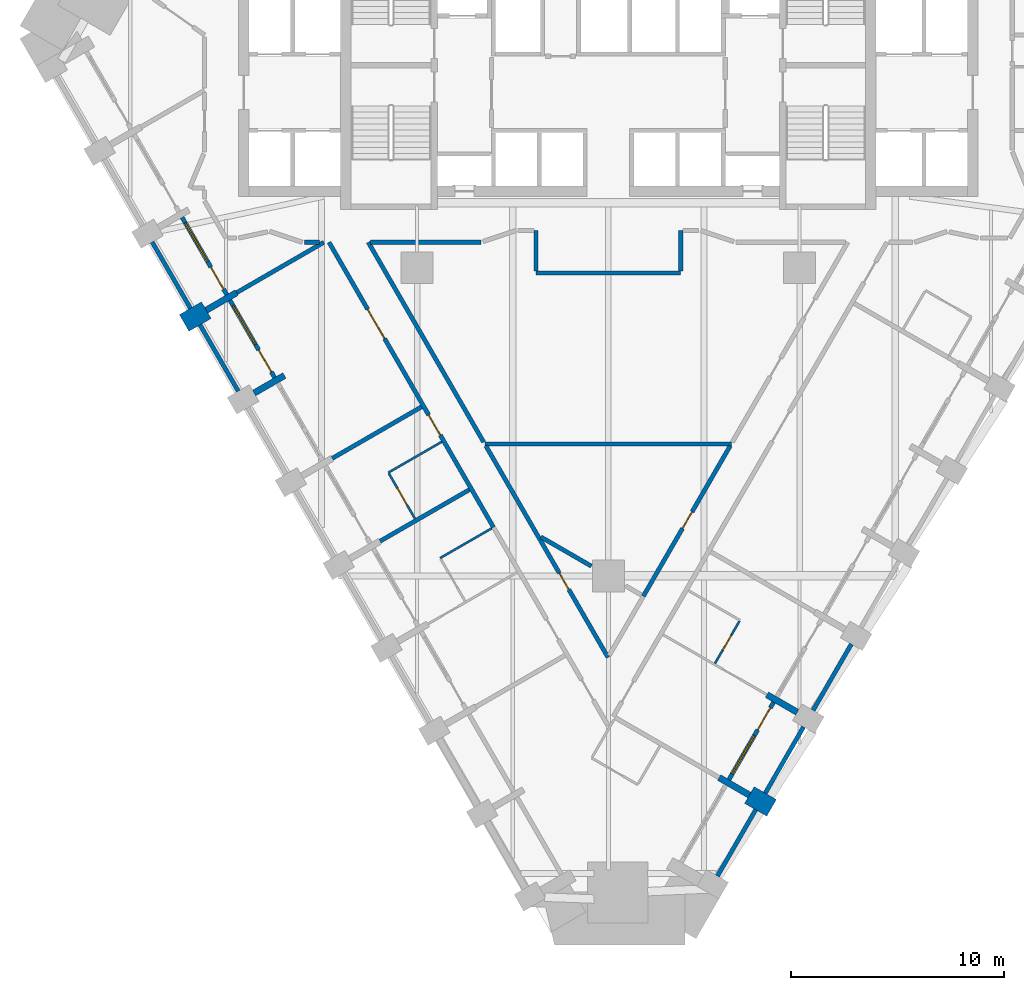
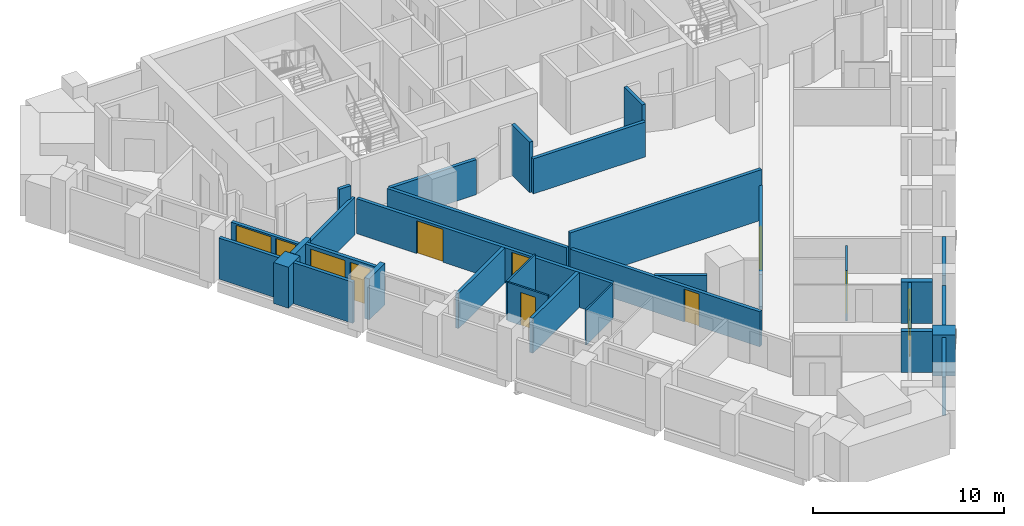
# One storey, part 4 of 11: 32 walls, 9 doors, 3 windows, 12 openings.
"""IFC4 building model written with IfcOpenShell, lengths in metres."""

from ifc_helpers import new_model, si_unit, direction, frame, frame_2d, origin, place, context, subcontext, project, spatial, polyline, rectangle, outline, extrude, material, layer, layer_set, type_object, element, fill, save


model = new_model("IFC4")

# Units and contexts
model_context = context("Model", 3, precision=1e-05, world=origin(), true_north=direction((0.0, 1.0)))
body_context = subcontext(model_context, "Body", "Model", "MODEL_VIEW")
ifc_project = project(units=[si_unit("LENGTHUNIT", "METRE"), si_unit("AREAUNIT", "SQUARE_METRE"), si_unit("VOLUMEUNIT", "CUBIC_METRE"), si_unit("PLANEANGLEUNIT", "RADIAN"), si_unit("MASSUNIT", "GRAM", prefix="KILO")], contexts=[model_context])

# Site, building, storey
site_placement = place(None, origin())
site = spatial("IfcSite", under=ifc_project, at=site_placement, CompositionType="ELEMENT")
building_placement = place(site_placement, origin())
building = spatial("IfcBuilding", under=site, at=building_placement, Name="Calabash Gate Tower", CompositionType="ELEMENT")
storey_placement = place(building_placement, frame((0.0, 0.0, 122.39990234375)))
storey = spatial("IfcBuildingStorey", under=building, at=storey_placement, Name="L28", CompositionType="ELEMENT", Elevation=122.39990234375)

# Walls
ifc_material_1 = material(Name="Terracotta brick masonry, exposed face", Category="masonry")
ifc_layer_1 = layer(ifc_material_1, 1.199951171875)
ifc_layer_set_1 = layer_set([ifc_layer_1], Name="Brick end wall 1200")
wall_type_1 = type_object("IfcWallType", Name="Brick end wall 1200", PredefinedType="SOLIDWALL", material=ifc_layer_set_1)
wall_1_placement = place(storey_placement, frame((-19.957763671875, -0.096923828125, 0.0), z_axis=(0.0, 0.0, 1.0), x_axis=(0.865955154139, 0.50012165622, 0.0)))
element("IfcWall", 1, at=wall_1_placement, inside=storey, type_object=wall_type_1, Name="Brick pier S08 SW0.3", PredefinedType="SOLIDWALL", context=body_context, shape_type="SweptSolid", body=[
    extrude(rectangle(XDim=1.199951171875, YDim=0.89990234375, at=frame_2d((0.60009765625, 0.0))), origin(), (0.0, 0.0, 1.0), 2.630126953125),
])
wall_2_placement = place(storey_placement, frame((7.67626953125, -22.9091796875, 0.0), z_axis=(0.0, 0.0, 1.0), x_axis=(-0.866094119867, 0.499880961361, 0.0)))
element("IfcWall", 2, at=wall_2_placement, inside=storey, type_object=wall_type_1, Name="Brick pier S08 SE2.1", PredefinedType="SOLIDWALL", context=body_context, shape_type="SweptSolid", body=[
    extrude(rectangle(XDim=1.199951171875, YDim=0.89990234375, at=frame_2d((0.60009765625, 0.0))), origin(), (0.0, 0.0, 1.0), 2.628173828125),
])
ifc_material_2 = material(Name="Terracotta brick masonry, exposed face", Category="masonry")
ifc_layer_2 = layer(ifc_material_2, 0.300048828125)
ifc_layer_set_2 = layer_set([ifc_layer_2], Name="Brick loggia cheek wall 300")
wall_type_2 = type_object("IfcWallType", Name="Brick loggia cheek wall 300", PredefinedType="SOLIDWALL", material=ifc_layer_set_2)
wall_3_placement = place(storey_placement, frame((-18.918701171875, 0.503173828125, 0.0), z_axis=(0.0, 0.0, 1.0), x_axis=(0.866040211805, 0.499974350878, 0.0)))
element("IfcWall", 3, at=wall_3_placement, inside=storey, type_object=wall_type_2, Name="Loggia cheek S08 SW0.3", PredefinedType="SOLIDWALL", context=body_context, shape_type="SweptSolid", body=[
    extrude(rectangle(XDim=1.64990234375, YDim=0.300048828125, at=frame_2d((0.824951171875, 0.0))), origin(), (0.0, 0.0, 1.0), 2.650146484375),
])
wall_4_placement = place(storey_placement, frame((-16.66845703125, -3.39404296875, 0.0), z_axis=(0.0, 0.0, 1.0), x_axis=(0.866003217194, 0.500038426333, 0.0)))
element("IfcWall", 4, at=wall_4_placement, inside=storey, type_object=wall_type_2, Name="Loggia cheek S08 SW0.4", PredefinedType="SOLIDWALL", context=body_context, shape_type="SweptSolid", body=[
    extrude(rectangle(XDim=1.649658203125, YDim=0.300048828125, at=frame_2d((0.82470703125, 0.0))), origin(), (0.0, 0.0, 1.0), 2.628173828125),
])
wall_5_placement = place(storey_placement, frame((6.636962890625, -22.309326171875, 0.0), z_axis=(0.0, 0.0, 1.0), x_axis=(-0.866040211805, 0.499974350878, 0.0)))
element("IfcWall", 5, at=wall_5_placement, inside=storey, type_object=wall_type_2, Name="Loggia cheek S08 SE2.1", PredefinedType="SOLIDWALL", context=body_context, shape_type="SweptSolid", body=[
    extrude(rectangle(XDim=1.64990234375, YDim=0.300048828125, at=frame_2d((0.824951171875, 0.0))), origin(), (0.0, 0.0, 1.0), 2.628173828125),
])
wall_6_placement = place(storey_placement, frame((8.886962890625, -18.412109375, 0.0), z_axis=(0.0, 0.0, 1.0), x_axis=(-0.866040211805, 0.499974350878, 0.0)))
element("IfcWall", 6, at=wall_6_placement, inside=storey, type_object=wall_type_2, Name="Loggia cheek S08 SE2.2", PredefinedType="SOLIDWALL", context=body_context, shape_type="SweptSolid", body=[
    extrude(rectangle(XDim=1.64990234375, YDim=0.300048828125, at=frame_2d((0.824951171875, 0.0))), origin(), (0.0, 0.0, 1.0), 2.650146484375),
])

# Wall, opening, door
ifc_material_3 = material(Name="Gypsum board on steel studs, mineral wool", Category="steel")
ifc_layer_3 = layer(ifc_material_3, 0.10009765625)
ifc_layer_set_3 = layer_set([ifc_layer_3], Name="Partition 100 gypsum board")
wall_type_3 = type_object("IfcWallType", Name="Partition 100 gypsum board", PredefinedType="PARTITIONING", material=ifc_layer_set_3)
wall_7_placement = place(storey_placement, frame((5.014404296875, -16.1162109375, 0.0), z_axis=(0.0, 0.0, 1.0), x_axis=(0.500617411337, 0.865668647617, 0.0)))
wall_7 = element("IfcWall", 7, at=wall_7_placement, inside=storey, type_object=wall_type_3, Name="Partition", PredefinedType="PARTITIONING", context=body_context, shape_type="SweptSolid", body=[
    extrude(rectangle(XDim=2.2978515625, YDim=0.10009765625, at=frame_2d((1.14892578125, 0.0))), origin(), (0.0, 0.0, 1.0), 3.22998046875),
])
opening_1_placement = place(wall_7_placement, frame((0.748046875, 0.0, 0.0)))
opening_1 = element("IfcOpeningElement", 8, at=opening_1_placement, cuts=wall_7, Name="Opening 28-30-009", PredefinedType="OPENING", context=body_context, shape_type="SweptSolid", body=[
    extrude(rectangle(XDim=0.800048828125, YDim=2.10009765625, at=frame_2d((0.39990234375, 1.050048828125))), frame((0.0, 0.06005859375, 0.0), z_axis=(0.0, -1.0, 0.0), x_axis=(1.0, 0.0, 0.0)), (0.0, 0.0, 1.0), 0.1201171875),
])
ifc_material_4 = material(Name="Painted timber door", Category="wood")
door_type_1 = type_object("IfcDoorType", Name="GD5 En-suite door 800x2100", OperationType="NOTDEFINED", PredefinedType="DOOR", material=ifc_material_4)
door_1_placement = place(opening_1_placement, origin())
door_1 = element("IfcDoor", 9, at=door_1_placement, inside=storey, type_object=door_type_1, Name="En-suite door", OperationType="SINGLE_SWING_RIGHT", OverallHeight=2.10009765625, OverallWidth=0.800048828125, PredefinedType="DOOR", context=body_context, shape_type="SweptSolid", body=[
    extrude(rectangle(XDim=0.800048828125, YDim=2.10009765625, at=frame_2d((0.39990234375, 1.050048828125))), frame((0.0, 0.02490234375, 0.0), z_axis=(0.0, -1.0, 0.0), x_axis=(1.0, 0.0, 0.0)), (0.0, 0.0, 1.0), 0.050048828125),
])
fill(opening_1, door_1)

# Wall
wall_8_placement = place(storey_placement, frame((-7.914306640625, -11.156982421875, 0.0), z_axis=(0.0, 0.0, 1.0), x_axis=(0.866288634608, 0.499543793424, 0.0)))
element("IfcWall", 10, at=wall_8_placement, inside=storey, type_object=wall_type_3, Name="Partition", PredefinedType="PARTITIONING", context=body_context, shape_type="SweptSolid", body=[
    extrude(rectangle(XDim=2.7998046875, YDim=0.10009765625, at=frame_2d((1.39990234375, 0.0))), origin(), (0.0, 0.0, 1.0), 2.24169921875),
])

# Wall, opening, door
wall_9_placement = place(storey_placement, frame((-10.325927734375, -7.179931640625, 0.0), z_axis=(0.0, 0.0, 1.0), x_axis=(0.500018594424, -0.866014668023, 0.0)))
wall_9 = element("IfcWall", 11, at=wall_9_placement, inside=storey, type_object=wall_type_3, Name="Partition", PredefinedType="PARTITIONING", context=body_context, shape_type="SweptSolid", body=[
    extrude(rectangle(XDim=2.4501953125, YDim=0.10009765625, at=frame_2d((1.22509765625, 0.0))), origin(), (0.0, 0.0, 1.0), 2.4736328125),
])
opening_2_placement = place(wall_9_placement, frame((0.800048828125, 0.0, 0.0)))
opening_2 = element("IfcOpeningElement", 12, at=opening_2_placement, cuts=wall_9, Name="Opening 28-30-003", PredefinedType="OPENING", context=body_context, shape_type="SweptSolid", body=[
    extrude(rectangle(XDim=0.89990234375, YDim=2.10009765625, at=frame_2d((0.449951171875, 1.050048828125))), frame((0.0, 0.06005859375, 0.0), z_axis=(0.0, -1.0, 0.0), x_axis=(1.0, 0.0, 0.0)), (0.0, 0.0, 1.0), 0.1201171875),
])
ifc_material_5 = material(Name="Painted timber door", Category="wood")
door_type_2 = type_object("IfcDoorType", Name="GD6 Accessible en-suite door 900x2100", OperationType="NOTDEFINED", PredefinedType="DOOR", material=ifc_material_5)
door_2_placement = place(opening_2_placement, origin())
door_2 = element("IfcDoor", 13, at=door_2_placement, inside=storey, type_object=door_type_2, Name="Accessible en-suite door", OperationType="SINGLE_SWING_LEFT", OverallHeight=2.10009765625, OverallWidth=0.89990234375, PredefinedType="DOOR", context=body_context, shape_type="SweptSolid", body=[
    extrude(rectangle(XDim=0.89990234375, YDim=2.10009765625, at=frame_2d((0.449951171875, 1.050048828125))), frame((0.0, 0.02490234375, 0.0), z_axis=(0.0, -1.0, 0.0), x_axis=(1.0, 0.0, 0.0)), (0.0, 0.0, 1.0), 0.050048828125),
])
fill(opening_2, door_2)

# Wall
wall_10_placement = place(storey_placement, frame((-10.350830078125, -7.13671875, 0.0), z_axis=(0.0, 0.0, 1.0), x_axis=(0.86625706142, 0.499598542372, 0.0)))
element("IfcWall", 14, at=wall_10_placement, inside=storey, type_object=wall_type_3, Name="Partition", PredefinedType="PARTITIONING", context=body_context, shape_type="SweptSolid", body=[
    extrude(rectangle(XDim=2.89990234375, YDim=0.10009765625, at=frame_2d((1.449951171875, 0.0))), origin(), (0.0, 0.0, 1.0), 2.4736328125),
])

# Wall, opening, door
ifc_material_6 = material(Name="Gypsum board on steel studs, mineral wool", Category="steel")
ifc_layer_4 = layer(ifc_material_6, 0.199951171875)
ifc_layer_set_4 = layer_set([ifc_layer_4], Name="Partition 200 gypsum board EI 60")
wall_type_4 = type_object("IfcWallType", Name="Partition 200 gypsum board EI 60", PredefinedType="PARTITIONING", material=ifc_layer_set_4)
wall_11_placement = place(storey_placement, frame((1.646728515625, -12.948486328125, 0.0), z_axis=(0.0, 0.0, 1.0), x_axis=(0.500209850425, 0.865904212681, 0.0)))
wall_11 = element("IfcWall", 15, at=wall_11_placement, inside=storey, type_object=wall_type_4, Name="Partition", PredefinedType="PARTITIONING", context=body_context, shape_type="SweptSolid", body=[
    extrude(rectangle(XDim=8.16552734375, YDim=0.199951171875, at=frame_2d((4.082763671875, 0.0))), origin(), (0.0, 0.0, 1.0), 2.24169921875),
])
opening_3_placement = place(wall_11_placement, frame((3.681884765625, 0.0, 0.0)))
opening_3 = element("IfcOpeningElement", 16, at=opening_3_placement, cuts=wall_11, Name="Opening 28-30-013", PredefinedType="OPENING", context=body_context, shape_type="SweptSolid", body=[
    extrude(rectangle(XDim=0.89990234375, YDim=2.10009765625, at=frame_2d((0.449951171875, 1.050048828125))), frame((0.0, 0.10986328125, 0.0), z_axis=(0.0, -1.0, 0.0), x_axis=(1.0, 0.0, 0.0)), (0.0, 0.0, 1.0), 0.219970703125),
])
ifc_material_7 = material(Name="Steel fire door set with fire-resisting glazing", Category="steel")
door_type_3 = type_object("IfcDoorType", Name="SD3 Store door 900x2100", OperationType="NOTDEFINED", PredefinedType="DOOR", material=ifc_material_7)
door_3_placement = place(opening_3_placement, origin())
door_3 = element("IfcDoor", 17, at=door_3_placement, inside=storey, type_object=door_type_3, Name="Store door", OperationType="SINGLE_SWING_RIGHT", OverallHeight=2.10009765625, OverallWidth=0.89990234375, PredefinedType="DOOR", context=body_context, shape_type="SweptSolid", body=[
    extrude(rectangle(XDim=0.89990234375, YDim=2.10009765625, at=frame_2d((0.449951171875, 1.050048828125))), frame((0.0, 0.02490234375, 0.0), z_axis=(0.0, -1.0, 0.0), x_axis=(1.0, 0.0, 0.0)), (0.0, 0.0, 1.0), 0.050048828125),
])
fill(opening_3, door_3)

# Wall
wall_12_placement = place(storey_placement, frame((-3.17138671875, -10.167724609375, 0.0), z_axis=(0.0, 0.0, 1.0), x_axis=(0.865863357012, -0.500280568265, 0.0)))
element("IfcWall", 18, at=wall_12_placement, inside=storey, type_object=wall_type_4, Name="Partition", PredefinedType="PARTITIONING", context=body_context, shape_type="SweptSolid", body=[
    extrude(rectangle(XDim=2.73876953125, YDim=0.199951171875, at=frame_2d((1.369384765625, 0.0))), origin(), (0.0, 0.0, 1.0), 2.24169921875),
])

# Wall, openings, doors
wall_13_placement = place(storey_placement, frame((-13.143310546875, 3.69970703125, 0.0), z_axis=(0.0, 0.0, 1.0), x_axis=(0.499816656841, -0.866131231133, 0.0)))
wall_13 = element("IfcWall", 19, at=wall_13_placement, inside=storey, type_object=wall_type_4, Name="Partition", PredefinedType="PARTITIONING", context=body_context, shape_type="SweptSolid", body=[
    extrude(rectangle(XDim=15.480224609375, YDim=0.199951171875, at=frame_2d((7.740234375, 0.0))), origin(), (0.0, 0.0, 1.0), 2.24169921875),
])
opening_4_placement = place(wall_13_placement, frame((3.640380859375, 0.0, 0.0)))
opening_4 = element("IfcOpeningElement", 20, at=opening_4_placement, cuts=wall_13, Name="Opening 28-30-001", PredefinedType="OPENING", context=body_context, shape_type="SweptSolid", body=[
    extrude(rectangle(XDim=1.60009765625, YDim=2.10009765625, at=frame_2d((0.800048828125, 1.050048828125))), frame((0.0, 0.10986328125, 0.0), z_axis=(0.0, -1.0, 0.0), x_axis=(1.0, 0.0, 0.0)), (0.0, 0.0, 1.0), 0.219970703125),
])
opening_5_placement = place(wall_13_placement, frame((9.380859375, 0.0, 0.0)))
opening_5 = element("IfcOpeningElement", 21, at=opening_5_placement, cuts=wall_13, Name="Opening 28-30-002", PredefinedType="OPENING", context=body_context, shape_type="SweptSolid", body=[
    extrude(rectangle(XDim=1.10009765625, YDim=2.10009765625, at=frame_2d((0.550048828125, 1.050048828125))), frame((0.0, 0.10986328125, 0.0), z_axis=(0.0, -1.0, 0.0), x_axis=(1.0, 0.0, 0.0)), (0.0, 0.0, 1.0), 0.219970703125),
])
ifc_material_8 = material(Name="Steel fire door set with fire-resisting glazing", Category="steel")
door_type_4 = type_object("IfcDoorType", Name="GD2 Accessible guest room entrance door 1100x2100", OperationType="NOTDEFINED", PredefinedType="DOOR", material=ifc_material_8)
door_4_placement = place(opening_5_placement, origin())
door_4 = element("IfcDoor", 22, at=door_4_placement, inside=storey, type_object=door_type_4, Name="Accessible guest room entrance door", OperationType="SINGLE_SWING_RIGHT", OverallHeight=2.10009765625, OverallWidth=1.10009765625, PredefinedType="DOOR", context=body_context, shape_type="SweptSolid", body=[
    extrude(rectangle(XDim=1.10009765625, YDim=2.10009765625, at=frame_2d((0.550048828125, 1.050048828125))), frame((0.0, 0.02490234375, 0.0), z_axis=(0.0, -1.0, 0.0), x_axis=(1.0, 0.0, 0.0)), (0.0, 0.0, 1.0), 0.050048828125),
])
fill(opening_5, door_4)
ifc_material_9 = material(Name="Steel fire door set with fire-resisting glazing", Category="steel")
door_type_5 = type_object("IfcDoorType", Name="LD1 Lounge double door 1600x2100", OperationType="NOTDEFINED", PredefinedType="DOOR", material=ifc_material_9)
door_5_placement = place(opening_4_placement, origin())
door_5 = element("IfcDoor", 23, at=door_5_placement, inside=storey, type_object=door_type_5, Name="Lounge double door", OperationType="DOUBLE_DOOR_SINGLE_SWING", OverallHeight=2.10009765625, OverallWidth=1.60009765625, PredefinedType="DOOR", context=body_context, shape_type="SweptSolid", body=[
    extrude(rectangle(XDim=1.60009765625, YDim=2.10009765625, at=frame_2d((0.800048828125, 1.050048828125))), frame((0.0, 0.02490234375, 0.0), z_axis=(0.0, -1.0, 0.0), x_axis=(1.0, 0.0, 0.0)), (0.0, 0.0, 1.0), 0.050048828125),
])
fill(opening_4, door_5)

# Wall
wall_14_placement = place(storey_placement, frame((-10.739501953125, -10.36328125, 0.0), z_axis=(0.0, 0.0, 1.0), x_axis=(0.866231677814, 0.499642552583, 0.0)))
element("IfcWall", 24, at=wall_14_placement, inside=storey, type_object=wall_type_4, Name="Partition", PredefinedType="PARTITIONING", context=body_context, shape_type="SweptSolid", body=[
    extrude(rectangle(XDim=4.849609375, YDim=0.199951171875, at=frame_2d((2.4248046875, 0.0))), origin(), (0.0, 0.0, 1.0), 2.24169921875),
])

# Wall, opening, door
wall_15_placement = place(storey_placement, frame((-5.7626953125, -5.8798828125, 0.0), z_axis=(0.0, 0.0, 1.0), x_axis=(0.500006842847, -0.866021453029, 0.0)))
wall_15 = element("IfcWall", 25, at=wall_15_placement, inside=storey, type_object=wall_type_4, Name="Partition", PredefinedType="PARTITIONING", context=body_context, shape_type="SweptSolid", body=[
    extrude(rectangle(XDim=11.493408203125, YDim=0.199951171875, at=frame_2d((5.74658203125, 0.0))), origin(), (0.0, 0.0, 1.0), 2.24169921875),
])
opening_6_placement = place(wall_15_placement, frame((6.914306640625, 0.0, 0.0)))
opening_6 = element("IfcOpeningElement", 26, at=opening_6_placement, cuts=wall_15, Name="Opening 28-30-012", PredefinedType="OPENING", context=body_context, shape_type="SweptSolid", body=[
    extrude(rectangle(XDim=0.89990234375, YDim=2.10009765625, at=frame_2d((0.449951171875, 1.050048828125))), frame((0.0, 0.10986328125, 0.0), z_axis=(0.0, -1.0, 0.0), x_axis=(1.0, 0.0, 0.0)), (0.0, 0.0, 1.0), 0.219970703125),
])
door_6_placement = place(opening_6_placement, origin())
door_6 = element("IfcDoor", 27, at=door_6_placement, inside=storey, type_object=door_type_3, Name="Store door", OperationType="SINGLE_SWING_RIGHT", OverallHeight=2.10009765625, OverallWidth=0.89990234375, PredefinedType="DOOR", context=body_context, shape_type="SweptSolid", body=[
    extrude(rectangle(XDim=0.89990234375, YDim=2.10009765625, at=frame_2d((0.449951171875, 1.050048828125))), frame((0.0, 0.02490234375, 0.0), z_axis=(0.0, -1.0, 0.0), x_axis=(1.0, 0.0, 0.0)), (0.0, 0.0, 1.0), 0.050048828125),
])
fill(opening_6, door_6)

# Walls
wall_16_placement = place(storey_placement, frame((-5.8125, -5.793212890625, 0.0), z_axis=(0.0, 0.0, 1.0), x_axis=(0.999999989135, 0.000147408763, 0.0)))
element("IfcWall", 28, at=wall_16_placement, inside=storey, type_object=wall_type_4, Name="Partition", PredefinedType="PARTITIONING", context=body_context, shape_type="SweptSolid", body=[
    extrude(rectangle(XDim=11.593505859375, YDim=0.199951171875, at=frame_2d((5.796875, 0.0))), origin(), (0.0, 0.0, 1.0), 3.22998046875),
])
wall_17_placement = place(storey_placement, frame((-12.989501953125, -6.46630859375, 0.0), z_axis=(0.0, 0.0, 1.0), x_axis=(0.866209889287, 0.49968032551, 0.0)))
element("IfcWall", 29, at=wall_17_placement, inside=storey, type_object=wall_type_4, Name="Partition", PredefinedType="PARTITIONING", context=body_context, shape_type="SweptSolid", body=[
    extrude(rectangle(XDim=4.849853515625, YDim=0.199951171875, at=frame_2d((2.4248046875, 0.0))), origin(), (0.0, 0.0, 1.0), 2.24169921875),
])
wall_18_placement = place(storey_placement, frame((-17.489990234375, 1.32861328125, 0.0), z_axis=(0.0, 0.0, 1.0), x_axis=(0.865884411482, 0.500244126355, 0.0)))
element("IfcWall", 30, at=wall_18_placement, inside=storey, type_object=wall_type_4, Name="Partition", PredefinedType="PARTITIONING", context=body_context, shape_type="SweptSolid", body=[
    extrude(rectangle(XDim=4.739501953125, YDim=0.199951171875, at=frame_2d((2.36962890625, 0.0))), origin(), (0.0, 0.0, 1.0), 2.38427734375),
])
wall_19_placement = place(storey_placement, frame((-3.400146484375, 2.25244140625, 0.0), z_axis=(0.0, 0.0, 1.0), x_axis=(1.0, 0.0, 0.0)))
element("IfcWall", 31, at=wall_19_placement, inside=storey, type_object=wall_type_4, Name="Partition", PredefinedType="PARTITIONING", context=body_context, shape_type="SweptSolid", body=[
    extrude(rectangle(XDim=6.800048828125, YDim=0.199951171875, at=frame_2d((3.39990234375, 0.0))), origin(), (0.0, 0.0, 1.0), 2.24169921875),
])
wall_20_placement = place(storey_placement, frame((-3.402099609375, 4.25048828125, 0.0), z_axis=(0.0, 0.0, 1.0), x_axis=(0.001028938362, -0.999999470643, 0.0)))
element("IfcWall", 32, at=wall_20_placement, inside=storey, type_object=wall_type_4, Name="Partition", PredefinedType="PARTITIONING", context=body_context, shape_type="SweptSolid", body=[
    extrude(rectangle(XDim=1.898193359375, YDim=0.199951171875, at=frame_2d((0.94921875, 0.0))), origin(), (0.0, 0.0, 1.0), 3.22998046875),
])
wall_21_placement = place(storey_placement, frame((-14.300048828125, 3.699462890625, 0.0), z_axis=(0.0, 0.0, 1.0), x_axis=(0.999998529944, -0.00171467512, 0.0)))
element("IfcWall", 33, at=wall_21_placement, inside=storey, type_object=wall_type_4, Name="Partition", PredefinedType="PARTITIONING", context=body_context, shape_type="SweptSolid", body=[
    extrude(rectangle(XDim=0.7119140625, YDim=0.199951171875, at=frame_2d((0.35595703125, 0.0))), origin(), (0.0, 0.0, 1.0), 3.22998046875),
])
wall_22_placement = place(storey_placement, frame((-11.29541015625, 3.69970703125, 0.0), z_axis=(0.0, 0.0, 1.0), x_axis=(0.500007885066, -0.866020851292, 0.0)))
element("IfcWall", 34, at=wall_22_placement, inside=storey, type_object=wall_type_4, Name="Partition", PredefinedType="PARTITIONING", context=body_context, shape_type="SweptSolid", body=[
    extrude(rectangle(XDim=10.859130859375, YDim=0.199951171875, at=frame_2d((5.4296875, 0.0))), origin(), (0.0, 0.0, 1.0), 2.24169921875),
])
wall_23_placement = place(storey_placement, frame((-11.1953125, 3.69970703125, 0.0), z_axis=(0.0, 0.0, 1.0), x_axis=(1.0, 0.0, 0.0)))
element("IfcWall", 35, at=wall_23_placement, inside=storey, type_object=wall_type_4, Name="Partition", PredefinedType="PARTITIONING", context=body_context, shape_type="SweptSolid", body=[
    extrude(rectangle(XDim=5.1953125, YDim=0.199951171875, at=frame_2d((2.59765625, 0.0))), origin(), (0.0, 0.0, 1.0), 2.24169921875),
])
wall_24_placement = place(storey_placement, frame((3.400146484375, 2.352294921875, 0.0), z_axis=(0.0, 0.0, 1.0), x_axis=(0.001028938362, 0.999999470643, 0.0)))
element("IfcWall", 36, at=wall_24_placement, inside=storey, type_object=wall_type_4, Name="Partition", PredefinedType="PARTITIONING", context=body_context, shape_type="SweptSolid", body=[
    extrude(rectangle(XDim=1.898193359375, YDim=0.199951171875, at=frame_2d((0.94921875, 0.0))), origin(), (0.0, 0.0, 1.0), 3.22998046875),
])
ifc_material_10 = material(Name="Terracotta brick masonry, perforated", Category="masonry")
ifc_layer_5 = layer(ifc_material_10, 0.199951171875)
ifc_layer_set_5 = layer_set([ifc_layer_5], Name="Terracotta jaali screen B")
wall_type_5 = type_object("IfcWallType", Name="Terracotta jaali screen B", PredefinedType="SOLIDWALL", material=ifc_layer_set_5)
wall_25_placement = place(storey_placement, frame((-21.463134765625, 3.71044921875, 0.0), z_axis=(0.0, 0.0, 1.0), x_axis=(0.500012057535, -0.866018442252, 0.0)))
element("IfcWall", 37, at=wall_25_placement, inside=storey, type_object=wall_type_5, Name="SCREEN B S08 SW0.3", PredefinedType="SOLIDWALL", context=body_context, shape_type="SweptSolid", body=[
    extrude(rectangle(XDim=3.60009765625, YDim=0.199951171875, at=frame_2d((1.800048828125, 0.0))), origin(), (0.0, 0.0, 1.0), 2.630126953125),
])
wall_26_placement = place(storey_placement, frame((-19.213134765625, -0.1865234375, 0.0), z_axis=(0.0, 0.0, 1.0), x_axis=(0.499982693035, -0.866035395735, 0.0)))
element("IfcWall", 38, at=wall_26_placement, inside=storey, type_object=wall_type_5, Name="SCREEN B S08 SW0.4", PredefinedType="SOLIDWALL", context=body_context, shape_type="SweptSolid", body=[
    extrude(rectangle(XDim=3.600341796875, YDim=0.199951171875, at=frame_2d((1.80029296875, 0.0))), origin(), (0.0, 0.0, 1.0), 2.630126953125),
])
wall_27_placement = place(storey_placement, origin())
element("IfcWall", 39, at=wall_27_placement, inside=storey, type_object=wall_type_5, Name="SCREEN B S08 SE2.1", PredefinedType="SOLIDWALL", context=body_context, shape_type="SweptSolid", body=[
    extrude(outline(polyline([(6.844970703125, -22.948974609375), (5.045166015625, -26.066162109375), (5.218505859375, -26.166259765625), (7.01806640625, -23.049072265625), (6.844970703125, -22.948974609375)])), origin(), (0.0, 0.0, 1.0), 2.4501953125),
])
for number, where, z_axis, x_axis, name in (
    (40, (7.381591796875, -22.219482421875, 0.0), (0.0, 0.0, 1.0), (0.500012057535, 0.866018442252, 0.0), "SCREEN B S08 SE2.2"),
    (41, (9.631591796875, -18.322509765625, 0.0), (0.0, 0.0, 1.0), (0.500012057535, 0.866018442252, 0.0), "SCREEN B S08 SE2.3"),
):
    element("IfcWall", number, at=place(storey_placement, frame(where, z_axis=z_axis, x_axis=x_axis)), inside=storey, type_object=wall_type_5, Name=name, PredefinedType="SOLIDWALL", context=body_context, shape_type="SweptSolid", body=[
        extrude(rectangle(XDim=3.60009765625, YDim=0.199951171875, at=frame_2d((1.800048828125, 0.0))), origin(), (0.0, 0.0, 1.0), 2.630126953125),
    ])

# Wall, openings, door, window
ifc_material_11 = material(Name="Aluminium framed window wall with insulated spandrel", Category="aluminium")
ifc_layer_6 = layer(ifc_material_11, 0.199951171875)
ifc_layer_set_6 = layer_set([ifc_layer_6], Name="Window wall 200")
wall_type_6 = type_object("IfcWallType", Name="Window wall 200", PredefinedType="ELEMENTEDWALL", material=ifc_layer_set_6)
wall_28_placement = place(storey_placement, frame((-20.054443359375, 4.870361328125, 0.0), z_axis=(0.0, 0.0, 1.0), x_axis=(0.500002543286, -0.866023935413, 0.0)))
wall_28 = element("IfcWall", 42, at=wall_28_placement, inside=storey, type_object=wall_type_6, Name="Window wall S08 SW0.3", PredefinedType="ELEMENTEDWALL", context=body_context, shape_type="SweptSolid", body=[
    extrude(rectangle(XDim=4.2001953125, YDim=0.199951171875, at=frame_2d((2.10009765625, 0.0))), origin(), (0.0, 0.0, 1.0), 2.4501953125),
])
opening_7_placement = place(wall_28_placement, frame((0.300048828125, 0.0, 0.60009765625)))
opening_7 = element("IfcOpeningElement", 43, at=opening_7_placement, cuts=wall_28, Name="Opening HW1L-1750", PredefinedType="OPENING", context=body_context, shape_type="SweptSolid", body=[
    extrude(rectangle(XDim=2.10009765625, YDim=1.75, at=frame_2d((1.050048828125, 0.875))), frame((0.0, 0.10986328125, 0.0), z_axis=(0.0, -1.0, 0.0), x_axis=(1.0, 0.0, 0.0)), (0.0, 0.0, 1.0), 0.219970703125),
])
opening_8_placement = place(wall_28_placement, frame((2.699951171875, 0.0, 0.0)))
opening_8 = element("IfcOpeningElement", 44, at=opening_8_placement, cuts=wall_28, Name="Opening H8-028", PredefinedType="OPENING", context=body_context, shape_type="SweptSolid", body=[
    extrude(rectangle(XDim=1.199951171875, YDim=2.35009765625, at=frame_2d((0.60009765625, 1.175048828125))), frame((0.0, 0.10986328125, 0.0), z_axis=(0.0, -1.0, 0.0), x_axis=(1.0, 0.0, 0.0)), (0.0, 0.0, 1.0), 0.219970703125),
])
ifc_material_12 = material(Name="Anodised aluminium frame, bronze finish, impact-rated laminated clear glazing", Category="aluminium")
door_type_6 = type_object("IfcDoorType", Name="Loggia door DH1L-2350 1200x2350", OperationType="SLIDING_TO_LEFT", PredefinedType="DOOR", material=ifc_material_12)
door_7_placement = place(opening_8_placement, origin())
door_7 = element("IfcDoor", 45, at=door_7_placement, inside=storey, type_object=door_type_6, Name="Loggia door S08 SW0.3", OperationType="SINGLE_SWING_LEFT", OverallHeight=2.35009765625, OverallWidth=1.199951171875, PredefinedType="DOOR", context=body_context, shape_type="SweptSolid", body=[
    extrude(rectangle(XDim=1.199951171875, YDim=2.35009765625, at=frame_2d((0.60009765625, 1.175048828125))), frame((0.0, 0.02490234375, 0.0), z_axis=(0.0, -1.0, 0.0), x_axis=(1.0, 0.0, 0.0)), (0.0, 0.0, 1.0), 0.050048828125),
])
fill(opening_8, door_7)
ifc_material_13 = material(Name="Anodised aluminium frame, bronze finish, impact-rated laminated clear glazing", Category="aluminium")
window_type_1 = type_object("IfcWindowType", Name="Window HW1L 2100x1750", PartitioningType="DOUBLE_PANEL_VERTICAL", PredefinedType="WINDOW", material=ifc_material_13)
window_1_placement = place(opening_7_placement, origin())
window_1 = element("IfcWindow", 46, at=window_1_placement, inside=storey, type_object=window_type_1, Name="Window HW1 S08 SW0.3", OverallHeight=1.75, OverallWidth=2.10009765625, PartitioningType="SINGLE_PANEL", PredefinedType="WINDOW", context=body_context, shape_type="SweptSolid", body=[
    extrude(rectangle(XDim=2.10009765625, YDim=1.75, at=frame_2d((1.050048828125, 0.875))), frame((0.0, 0.030029296875, 0.0), z_axis=(0.0, -1.0, 0.0), x_axis=(1.0, 0.0, 0.0)), (0.0, 0.0, 1.0), 0.06005859375),
])
fill(opening_7, window_1)

wall_29_placement = place(storey_placement, frame((-17.804443359375, 0.97314453125, 0.0), z_axis=(0.0, 0.0, 1.0), x_axis=(0.500027713859, -0.866009402589, 0.0)))
wall_29 = element("IfcWall", 47, at=wall_29_placement, inside=storey, type_object=wall_type_6, Name="Window wall S08 SW0.4", PredefinedType="ELEMENTEDWALL", context=body_context, shape_type="SweptSolid", body=[
    extrude(rectangle(XDim=4.199951171875, YDim=0.199951171875, at=frame_2d((2.10009765625, 0.0))), origin(), (0.0, 0.0, 1.0), 2.628173828125),
])
opening_9_placement = place(wall_29_placement, frame((0.300048828125, 0.0, 0.60009765625)))
opening_9 = element("IfcOpeningElement", 48, at=opening_9_placement, cuts=wall_29, Name="Opening HW1", PredefinedType="OPENING", context=body_context, shape_type="SweptSolid", body=[
    extrude(rectangle(XDim=2.10009765625, YDim=1.800048828125, at=frame_2d((1.050048828125, 0.89990234375))), frame((0.0, 0.10986328125, 0.0), z_axis=(0.0, -1.0, 0.0), x_axis=(1.0, 0.0, 0.0)), (0.0, 0.0, 1.0), 0.219970703125),
])
opening_10_placement = place(wall_29_placement, frame((2.699951171875, 0.0, 0.0)))
opening_10 = element("IfcOpeningElement", 49, at=opening_10_placement, cuts=wall_29, Name="Opening H8-029", PredefinedType="OPENING", context=body_context, shape_type="SweptSolid", body=[
    extrude(rectangle(XDim=1.199951171875, YDim=2.39990234375, at=frame_2d((0.60009765625, 1.199951171875))), frame((0.0, 0.10986328125, 0.0), z_axis=(0.0, -1.0, 0.0), x_axis=(1.0, 0.0, 0.0)), (0.0, 0.0, 1.0), 0.219970703125),
])
ifc_material_14 = material(Name="Anodised aluminium frame, bronze finish, impact-rated laminated clear glazing", Category="aluminium")
door_type_7 = type_object("IfcDoorType", Name="Loggia door DH1 1200x2400", OperationType="SLIDING_TO_LEFT", PredefinedType="DOOR", material=ifc_material_14)
door_8_placement = place(opening_10_placement, origin())
door_8 = element("IfcDoor", 50, at=door_8_placement, inside=storey, type_object=door_type_7, Name="Loggia door S08 SW0.4", OperationType="SINGLE_SWING_LEFT", OverallHeight=2.39990234375, OverallWidth=1.199951171875, PredefinedType="DOOR", context=body_context, shape_type="SweptSolid", body=[
    extrude(rectangle(XDim=1.199951171875, YDim=2.39990234375, at=frame_2d((0.60009765625, 1.199951171875))), frame((0.0, 0.02490234375, 0.0), z_axis=(0.0, -1.0, 0.0), x_axis=(1.0, 0.0, 0.0)), (0.0, 0.0, 1.0), 0.050048828125),
])
fill(opening_10, door_8)
ifc_material_15 = material(Name="Anodised aluminium frame, bronze finish, impact-rated laminated clear glazing", Category="aluminium")
window_type_2 = type_object("IfcWindowType", Name="Window HW1 2100x1800", PartitioningType="DOUBLE_PANEL_VERTICAL", PredefinedType="WINDOW", material=ifc_material_15)
window_2_placement = place(opening_9_placement, origin())
window_2 = element("IfcWindow", 51, at=window_2_placement, inside=storey, type_object=window_type_2, Name="Window HW1 S08 SW0.4", OverallHeight=1.800048828125, OverallWidth=2.10009765625, PartitioningType="SINGLE_PANEL", PredefinedType="WINDOW", context=body_context, shape_type="SweptSolid", body=[
    extrude(rectangle(XDim=2.10009765625, YDim=1.800048828125, at=frame_2d((1.050048828125, 0.89990234375))), frame((0.0, 0.030029296875, 0.0), z_axis=(0.0, -1.0, 0.0), x_axis=(1.0, 0.0, 0.0)), (0.0, 0.0, 1.0), 0.06005859375),
])
fill(opening_9, window_2)

wall_30_placement = place(storey_placement, frame((5.6728515625, -21.579345703125, 0.0), z_axis=(0.0, 0.0, 1.0), x_axis=(0.49998411664, 0.866034573852, 0.0)))
wall_30 = element("IfcWall", 52, at=wall_30_placement, inside=storey, type_object=wall_type_6, Name="Window wall S08 SE2.2", PredefinedType="ELEMENTEDWALL", context=body_context, shape_type="SweptSolid", body=[
    extrude(rectangle(XDim=4.199951171875, YDim=0.199951171875, at=frame_2d((2.10009765625, 0.0))), origin(), (0.0, 0.0, 1.0), 2.628173828125),
])
opening_11_placement = place(wall_30_placement, frame((0.300048828125, 0.0, 0.60009765625)))
opening_11 = element("IfcOpeningElement", 53, at=opening_11_placement, cuts=wall_30, Name="Opening HW1", PredefinedType="OPENING", context=body_context, shape_type="SweptSolid", body=[
    extrude(rectangle(XDim=2.10009765625, YDim=1.800048828125, at=frame_2d((1.050048828125, 0.89990234375))), frame((0.0, 0.10986328125, 0.0), z_axis=(0.0, -1.0, 0.0), x_axis=(1.0, 0.0, 0.0)), (0.0, 0.0, 1.0), 0.219970703125),
])
opening_12_placement = place(wall_30_placement, frame((2.699951171875, 0.0, 0.0)))
opening_12 = element("IfcOpeningElement", 54, at=opening_12_placement, cuts=wall_30, Name="Opening H8-019", PredefinedType="OPENING", context=body_context, shape_type="SweptSolid", body=[
    extrude(rectangle(XDim=1.199951171875, YDim=2.39990234375, at=frame_2d((0.60009765625, 1.199951171875))), frame((0.0, 0.10986328125, 0.0), z_axis=(0.0, -1.0, 0.0), x_axis=(1.0, 0.0, 0.0)), (0.0, 0.0, 1.0), 0.219970703125),
])
door_9_placement = place(opening_12_placement, origin())
door_9 = element("IfcDoor", 55, at=door_9_placement, inside=storey, type_object=door_type_7, Name="Loggia door S08 SE2.2", OperationType="SINGLE_SWING_LEFT", OverallHeight=2.39990234375, OverallWidth=1.199951171875, PredefinedType="DOOR", context=body_context, shape_type="SweptSolid", body=[
    extrude(rectangle(XDim=1.199951171875, YDim=2.39990234375, at=frame_2d((0.60009765625, 1.199951171875))), frame((0.0, 0.02490234375, 0.0), z_axis=(0.0, -1.0, 0.0), x_axis=(1.0, 0.0, 0.0)), (0.0, 0.0, 1.0), 0.050048828125),
])
fill(opening_12, door_9)
window_3_placement = place(opening_11_placement, origin())
window_3 = element("IfcWindow", 56, at=window_3_placement, inside=storey, type_object=window_type_2, Name="Window HW1 S08 SE2.2", OverallHeight=1.800048828125, OverallWidth=2.10009765625, PartitioningType="SINGLE_PANEL", PredefinedType="WINDOW", context=body_context, shape_type="SweptSolid", body=[
    extrude(rectangle(XDim=2.10009765625, YDim=1.800048828125, at=frame_2d((1.050048828125, 0.89990234375))), frame((0.0, 0.030029296875, 0.0), z_axis=(0.0, -1.0, 0.0), x_axis=(1.0, 0.0, 0.0)), (0.0, 0.0, 1.0), 0.06005859375),
])
fill(opening_11, window_3)

save(model, "model.ifc")
